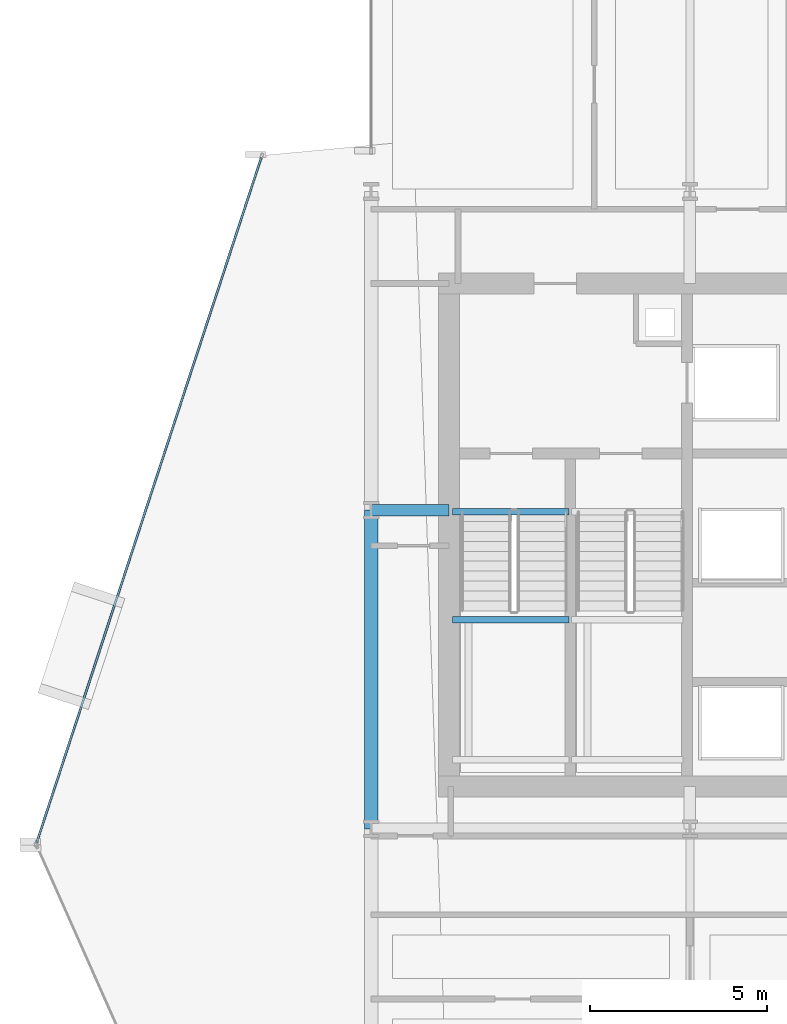
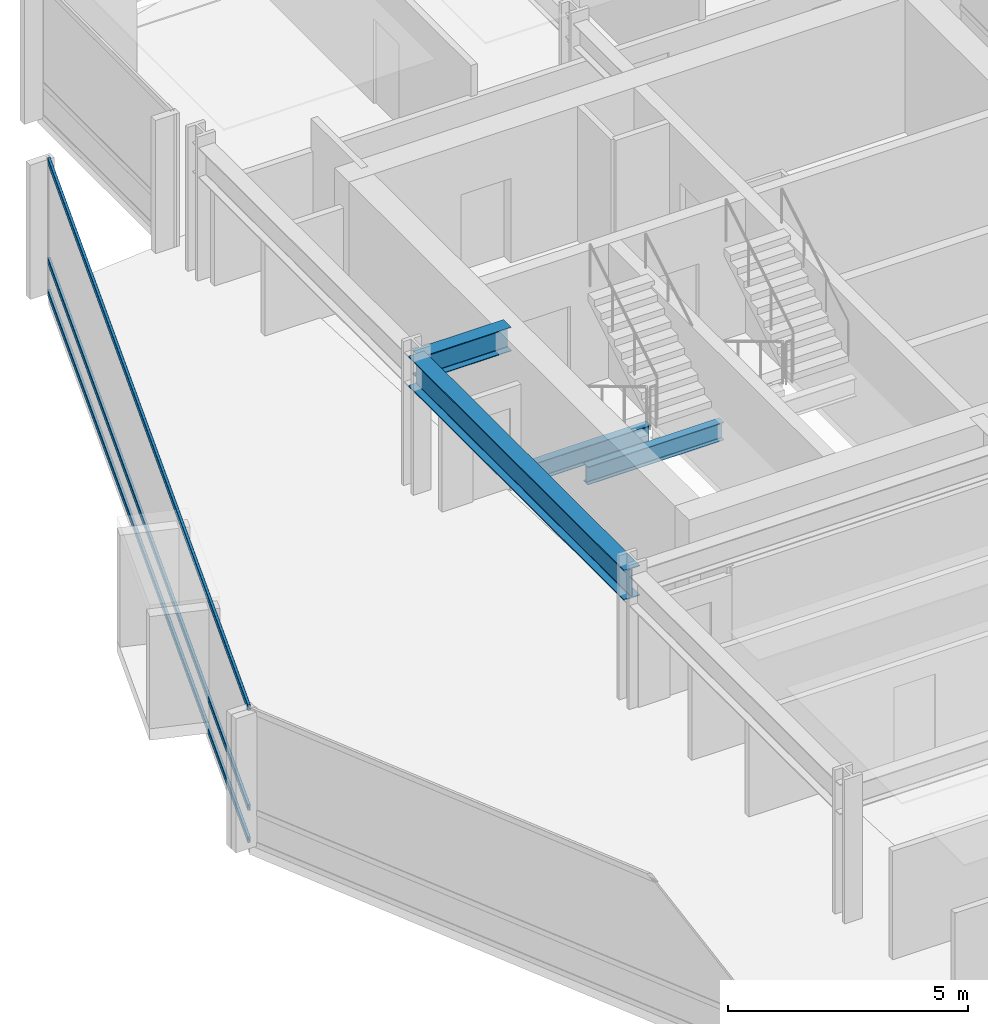
# One storey, part 18 of 34: 4 beams, 3 members, 1 element without a shape of its own.
"""IFC4 building model written with IfcOpenShell, lengths in metres."""

from ifc_helpers import new_model, si_unit, direction, frame, origin, origin_2d, place, context, subcontext, project, spatial, hollow_rectangle, i_section, extrude, material, layer, layer_set, material_profile, profile_set, type_object, element, aggregate, save


model = new_model("IFC4")

# Units and contexts
model_context = context("Model", 3, precision=1e-05, world=origin(), true_north=direction((0.0, 1.0)))
body_context = subcontext(model_context, "Body", "Model", "MODEL_VIEW")
ifc_project = project(units=[si_unit("LENGTHUNIT", "METRE"), si_unit("AREAUNIT", "SQUARE_METRE"), si_unit("VOLUMEUNIT", "CUBIC_METRE"), si_unit("PLANEANGLEUNIT", "RADIAN"), si_unit("MASSUNIT", "GRAM", prefix="KILO")], contexts=[model_context])

# Site, building, storey
site_placement = place(None, origin())
site = spatial("IfcSite", under=ifc_project, at=site_placement, CompositionType="ELEMENT")
building_placement = place(site_placement, origin())
building = spatial("IfcBuilding", under=site, at=building_placement, Name="Solvaryn Broadcast Tower", CompositionType="ELEMENT")
storey_placement = place(building_placement, frame((0.0, 0.0, 43.39990234375)))
storey = spatial("IfcBuildingStorey", under=building, at=storey_placement, Name="L09", CompositionType="ELEMENT", Elevation=43.39990234375)

# Beams
ifc_material_1 = material(Name="Steel ASTM A992 Grade 50", Category="steel")
ifc_material_profile_1 = material_profile(ifc_material_1, i_section(OverallWidth=0.323974609375, OverallDepth=0.611083984375, WebThickness=0.0126953125, FlangeThickness=0.01904296875, FilletRadius=0.014892578125, at=origin_2d()))
ifc_profile_set_1 = profile_set([ifc_material_profile_1], Name="Steel ASTM A992 Grade 50")
beam_type_1 = type_object("IfcBeamType", Name="BM-B1-W24X104", PredefinedType="BEAM", material=ifc_profile_set_1)
beam_1_placement = place(storey_placement, frame((9.0, 36.0, 3.114501953125), z_axis=(1.0, 0.0, 0.0), x_axis=(0.0, 1.0, 0.0)))
element("IfcBeam", 1, at=beam_1_placement, inside=storey, type_object=beam_type_1, Name="L09 Core Tie Beam CTW1", PredefinedType="BEAM", context=body_context, shape_type="SweptSolid", body=[
    extrude(i_section(OverallWidth=0.323974609375, OverallDepth=0.611083984375, WebThickness=0.0126953125, FlangeThickness=0.01904296875, FilletRadius=0.014892578125, at=origin_2d()), origin(), (0.0, 0.0, 1.0), 2.199951171875),
])
ifc_material_2 = material(Name="Steel ASTM A992 Grade 50", Category="steel")
ifc_material_profile_2 = material_profile(ifc_material_2, i_section(OverallWidth=0.18994140625, OverallDepth=0.45703125, WebThickness=0.009033203125, FlangeThickness=0.014404296875, FilletRadius=0.011962890625, at=origin_2d()))
ifc_profile_set_2 = profile_set([ifc_material_profile_2], Name="Steel ASTM A992 Grade 50")
beam_type_2 = type_object("IfcBeamType", Name="BM-B4-W18X50", PredefinedType="BEAM", material=ifc_profile_set_2)
for number, where, z_axis, x_axis, name in (
    (2, (11.300048828125, 35.9599609375, -0.50830078125), (1.0, 0.0, 0.0), (0.0, 1.0, 0.0), "L09 ST1 Stair Well Trimmer Beam"),
    (3, (11.300048828125, 32.909912109375, 1.421630859375), (1.0, 0.0, 0.0), (0.0, 1.0, 0.0), "L09 ST1 Landing Support Beam 1B"),
):
    element("IfcBeam", number, at=place(storey_placement, frame(where, z_axis=z_axis, x_axis=x_axis)), inside=storey, type_object=beam_type_2, Name=name, PredefinedType="BEAM", context=body_context, shape_type="SweptSolid", body=[
        extrude(i_section(OverallWidth=0.18994140625, OverallDepth=0.45703125, WebThickness=0.009033203125, FlangeThickness=0.014404296875, FilletRadius=0.011962890625, at=origin_2d()), origin(), (0.0, 0.0, 1.0), 3.280029296875),
    ])
ifc_material_3 = material(Name="Steel ASTM A992 Grade 50", Category="steel")
ifc_material_profile_3 = material_profile(ifc_material_3, i_section(OverallWidth=0.381103515625, OverallDepth=0.77294921875, WebThickness=0.0166015625, FlangeThickness=0.027099609375, FilletRadius=0.01806640625, at=origin_2d()))
ifc_profile_set_3 = profile_set([ifc_material_profile_3], Name="Steel ASTM A992 Grade 50")
beam_type_3 = type_object("IfcBeamType", Name="BM-SP1-W30X173", PredefinedType="USERDEFINED", material=ifc_profile_set_3)
beam_2_placement = place(storey_placement, frame((9.0, 27.0, 3.03369140625), z_axis=(0.0, 1.0, 0.0), x_axis=(-1.0, 0.0, 0.0)))
element("IfcBeam", 4, at=beam_2_placement, inside=storey, type_object=beam_type_3, Name="L09 Spandrel Beam Y (27-36 @ X=9)", ObjectType="SPANDREL", PredefinedType="USERDEFINED", context=body_context, shape_type="SweptSolid", body=[
    extrude(i_section(OverallWidth=0.381103515625, OverallDepth=0.77294921875, WebThickness=0.0166015625, FlangeThickness=0.027099609375, FilletRadius=0.01806640625, at=origin_2d()), origin(), (0.0, 0.0, 1.0), 9.0),
])

# Curtain wall, members
ifc_material_4 = material(Name="Aluminium and Terracotta Unitised Curtain Wall", Category="masonry")
ifc_layer = layer(ifc_material_4, 0.199951171875)
ifc_layer_set = layer_set([ifc_layer], Name="CW-SYS2-LOWMID")
curtain_wall_type = type_object("IfcCurtainWallType", Name="CW-SYS2-LOWMID", PredefinedType="NOTDEFINED", material=ifc_layer_set)
curtain_wall_placement = place(storey_placement, origin())
curtain_wall = element("IfcCurtainWall", 5, at=curtain_wall_placement, inside=storey, type_object=curtain_wall_type, Name="L09 Curtain Wall DR1", PredefinedType="NOTDEFINED")
ifc_material_5 = material(Name="Anodised Aluminium 6063-T6", Category="aluminium")
ifc_material_profile_4 = material_profile(ifc_material_5, hollow_rectangle(XDim=0.06494140625, YDim=0.14990234375, WallThickness=0.00390625, InnerFilletRadius=0.00390625, OuterFilletRadius=0.008056640625, at=origin_2d()))
ifc_profile_set_4 = profile_set([ifc_material_profile_4], Name="Anodised Aluminium 6063-T6")
member_type = type_object("IfcMemberType", Name="CW-TRN-150", PredefinedType="USERDEFINED", material=ifc_profile_set_4)
member_1_placement = place(storey_placement, frame((5.897216796875, 45.958984375, 0.030029296875), z_axis=(-0.311589549406, -0.950216792475, 0.0), x_axis=(0.950216792475, -0.311589549406, 0.0)))
member_1 = element("IfcMember", 6, at=member_1_placement, type_object=member_type, Name="CWS2 transom 1.1", ObjectType="TRANSOM", PredefinedType="USERDEFINED", context=body_context, shape_type="SweptSolid", body=[
    extrude(hollow_rectangle(XDim=0.06494140625, YDim=0.14990234375, WallThickness=0.00390625, InnerFilletRadius=0.00390625, OuterFilletRadius=0.008056640625, at=origin_2d()), origin(), (0.0, 0.0, 1.0), 20.35546875),
])
member_2_placement = place(storey_placement, frame((5.897216796875, 45.958984375, 0.85009765625), z_axis=(-0.311589549406, -0.950216792475, 0.0), x_axis=(0.950216792475, -0.311589549406, 0.0)))
member_2 = element("IfcMember", 7, at=member_2_placement, type_object=member_type, Name="CWS2 transom 1.2", ObjectType="TRANSOM", PredefinedType="USERDEFINED", context=body_context, shape_type="SweptSolid", body=[
    extrude(hollow_rectangle(XDim=0.06494140625, YDim=0.14990234375, WallThickness=0.00390625, InnerFilletRadius=0.00390625, OuterFilletRadius=0.008056640625, at=origin_2d()), origin(), (0.0, 0.0, 1.0), 20.35546875),
])
member_3_placement = place(storey_placement, frame((5.897216796875, 45.958984375, 3.39013671875), z_axis=(-0.311589549406, -0.950216792475, 0.0), x_axis=(0.950216792475, -0.311589549406, 0.0)))
member_3 = element("IfcMember", 8, at=member_3_placement, type_object=member_type, Name="CWS2 transom 1.3", ObjectType="TRANSOM", PredefinedType="USERDEFINED", context=body_context, shape_type="SweptSolid", body=[
    extrude(hollow_rectangle(XDim=0.06494140625, YDim=0.14990234375, WallThickness=0.00390625, InnerFilletRadius=0.00390625, OuterFilletRadius=0.008056640625, at=origin_2d()), origin(), (0.0, 0.0, 1.0), 20.35546875),
])
aggregate(curtain_wall, [member_1, member_2, member_3])

save(model, "model.ifc")
